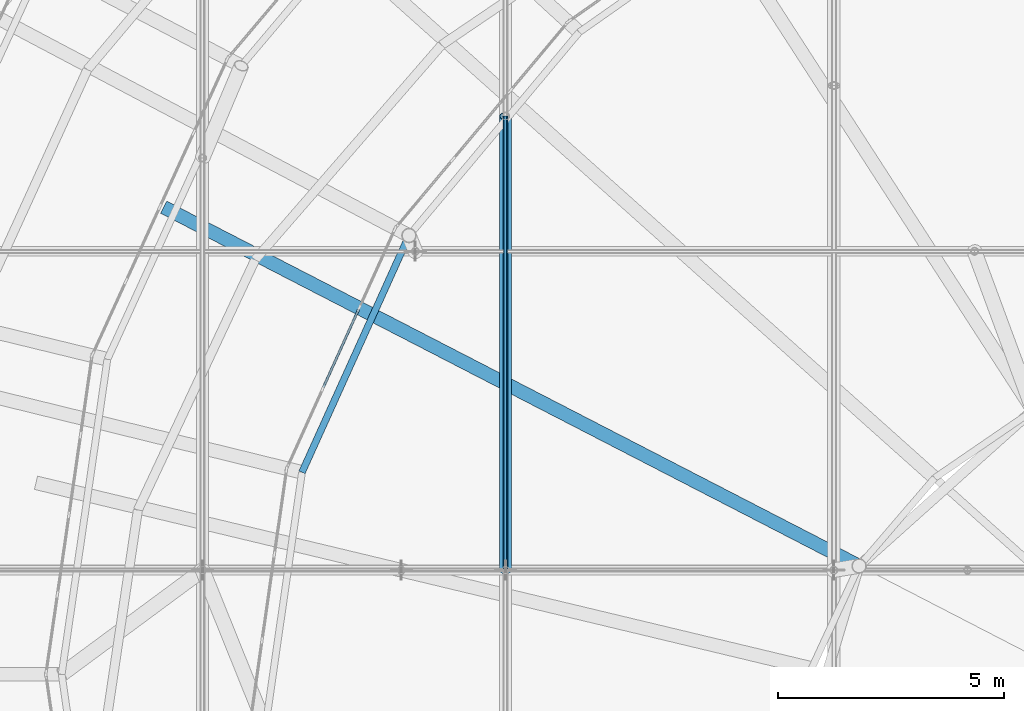
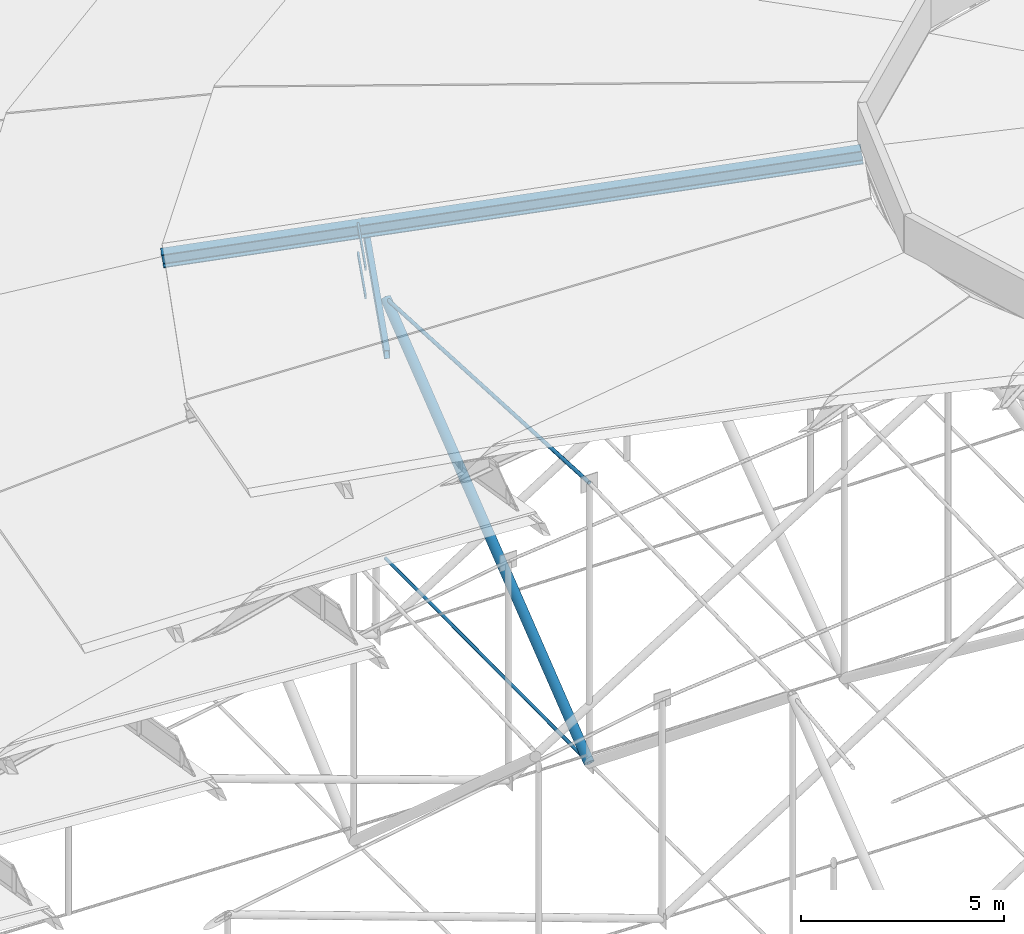
# One storey, part 46 of 173: 7 members, 1 element without a shape of its own.
"""IFC4 building model written with IfcOpenShell, lengths in metres."""

from ifc_helpers import new_model, si_unit, direction, frame, origin, origin_2d, place, context, subcontext, project, spatial, rectangle, hollow_rectangle, circle, hollow_circle, i_section, extrude, material, material_profile, profile_set, type_object, element, aggregate, save


model = new_model("IFC4")

# Units and contexts
model_context = context("Model", 3, precision=1e-05, world=origin(), true_north=direction((0.0, 1.0)))
body_context = subcontext(model_context, "Body", "Model", "MODEL_VIEW")
ifc_project = project(units=[si_unit("LENGTHUNIT", "METRE"), si_unit("AREAUNIT", "SQUARE_METRE"), si_unit("VOLUMEUNIT", "CUBIC_METRE"), si_unit("PLANEANGLEUNIT", "RADIAN"), si_unit("MASSUNIT", "GRAM", prefix="KILO")], contexts=[model_context])

# Site, building, storey
site_placement = place(None, origin())
site = spatial("IfcSite", under=ifc_project, at=site_placement, CompositionType="ELEMENT")
building_placement = place(site_placement, origin())
building = spatial("IfcBuilding", under=site, at=building_placement, Name="Glasvene Arena", CompositionType="ELEMENT")
storey_placement = place(building_placement, frame((0.0, 0.0, 28.800048828125)))
storey = spatial("IfcBuildingStorey", under=building, at=storey_placement, Name="RF", CompositionType="ELEMENT", Elevation=28.800048828125)

# Curtain wall, members
ifc_material_1 = material(Name="Low-emissivity laminated double glazing", Category="glass")
curtain_wall_type = type_object("IfcCurtainWallType", Name="CW-PET4-582x92", PredefinedType="USERDEFINED", material=ifc_material_1)
curtain_wall_placement = place(storey_placement, frame((66.865478515625, 80.550048828125, 0.0)))
curtain_wall = element("IfcCurtainWall", 1, at=curtain_wall_placement, inside=storey, type_object=curtain_wall_type, Name="Petal ring 4-5 clerestory curtain wall 11", ObjectType="CURTAIN WALL", PredefinedType="USERDEFINED")
ifc_material_2 = material(Name="Anodised architectural aluminium", Category="aluminium")
ifc_material_profile_1 = material_profile(ifc_material_2, rectangle(XDim=0.050048828125, YDim=0.1201171875, at=origin_2d()), Name="ALU TRANSOM 50x120")
ifc_profile_set_1 = profile_set([ifc_material_profile_1], Name="Anodised architectural aluminium")
member_type_1 = type_object("IfcMemberType", Name="CW-TRN-120", PredefinedType="USERDEFINED", material=ifc_profile_set_1)
member_1_placement = place(storey_placement, frame((66.055908203125, 78.758544921875, 10.554931640625), z_axis=(-0.411749309891, -0.9112971556, 0.0), x_axis=(0.9112971556, -0.411749309891, 0.0)))
member_1 = element("IfcMember", 2, at=member_1_placement, type_object=member_type_1, Name="CW-100 transom 2.1", ObjectType="TRANSOM", PredefinedType="USERDEFINED", context=body_context, shape_type="SweptSolid", body=[
    extrude(rectangle(XDim=0.050048828125, YDim=0.1201171875, at=origin_2d()), origin(), (0.0, 0.0, 1.0), 1.890869140625),
])
member_2_placement = place(storey_placement, frame((66.055908203125, 78.758544921875, 11.4208984375), z_axis=(-0.411749309891, -0.9112971556, 0.0), x_axis=(0.9112971556, -0.411749309891, 0.0)))
member_2 = element("IfcMember", 3, at=member_2_placement, type_object=member_type_1, Name="CW-100 transom 2.2", ObjectType="TRANSOM", PredefinedType="USERDEFINED", context=body_context, shape_type="SweptSolid", body=[
    extrude(rectangle(XDim=0.050048828125, YDim=0.1201171875, at=origin_2d()), origin(), (0.0, 0.0, 1.0), 1.890869140625),
])
aggregate(curtain_wall, [member_1, member_2])

# Members
ifc_material_3 = material(Name="High-strength steel spiral strand S460", Category="steel")
ifc_material_profile_2 = material_profile(ifc_material_3, circle(Radius=0.052490234375, at=origin_2d()), Name="LCSS D105")
ifc_profile_set_2 = profile_set([ifc_material_profile_2], Name="High-strength steel spiral strand S460")
member_type_2 = type_object("IfcMemberType", Name="MB-CABLE-105", PredefinedType="USERDEFINED", material=ifc_profile_set_2)
member_3_placement = place(storey_placement, frame((69.300537109375, 73.0, 6.02001953125), z_axis=(0.0, 0.998653211975, -0.051882195512), x_axis=(-1.0, 0.0, 0.0)))
element("IfcMember", 4, at=member_3_placement, inside=storey, type_object=member_type_2, Name="Upper lens roof cable NS08-05", ObjectType="ROOF CABLE", PredefinedType="USERDEFINED", context=body_context, shape_type="SweptSolid", body=[
    extrude(circle(Radius=0.052490234375, at=origin_2d()), origin(), (0.0, 0.0, 1.0), 10.037109375),
])
ifc_material_profile_3 = material_profile(ifc_material_3, circle(Radius=0.044921875, at=origin_2d()), Name="LCSS D90")
ifc_profile_set_3 = profile_set([ifc_material_profile_3], Name="High-strength steel spiral strand S460")
member_type_3 = type_object("IfcMemberType", Name="MB-CABLE-90", PredefinedType="USERDEFINED", material=ifc_profile_set_3)
member_4_placement = place(storey_placement, frame((69.300537109375, 73.0, -2.400146484375), z_axis=(0.0, 0.999974187932, 0.007184947401), x_axis=(-1.0, 0.0, 0.0)))
element("IfcMember", 5, at=member_4_placement, inside=storey, type_object=member_type_3, Name="Lower stabilization roof cable NS08-05", ObjectType="ROOF CABLE", PredefinedType="USERDEFINED", context=body_context, shape_type="SweptSolid", body=[
    extrude(circle(Radius=0.044921875, at=origin_2d()), origin(), (0.0, 0.0, 1.0), 10.02392578125),
])
ifc_material_4 = material(Name="Steel S355J2", Category="steel")
ifc_material_profile_4 = material_profile(ifc_material_4, i_section(OverallWidth=0.300048828125, OverallDepth=0.39990234375, WebThickness=0.013427734375, FlangeThickness=0.02392578125, FilletRadius=0.027099609375, at=origin_2d()), Name="HEB 400")
ifc_profile_set_4 = profile_set([ifc_material_profile_4], Name="Steel S355J2")
member_type_4 = type_object("IfcMemberType", Name="MB-CHORD-HEB400", PredefinedType="CHORD", material=ifc_profile_set_4)
member_5_placement = place(storey_placement, frame((61.778076171875, 81.0, 10.550048828125), z_axis=(0.879139743205, -0.4535720336, 0.146238579907), x_axis=(0.458501219441, 0.888693778403, 0.0)))
element("IfcMember", 6, at=member_5_placement, inside=storey, type_object=member_type_4, Name="Petal ring 5 radial rib 11", PredefinedType="CHORD", context=body_context, shape_type="SweptSolid", body=[
    extrude(i_section(OverallWidth=0.300048828125, OverallDepth=0.39990234375, WebThickness=0.013427734375, FlangeThickness=0.02392578125, FilletRadius=0.027099609375, at=origin_2d()), origin(), (0.0, 0.0, 1.0), 17.43603515625),
])
ifc_material_profile_5 = material_profile(ifc_material_4, hollow_rectangle(XDim=0.14990234375, YDim=0.25, WallThickness=0.010009765625, at=origin_2d()), Name="RHS 250x150x10.0")
ifc_profile_set_5 = profile_set([ifc_material_profile_5], Name="Steel S355J2")
member_type_5 = type_object("IfcMemberType", Name="MB-PURLIN-RHS250", PredefinedType="PURLIN", material=ifc_profile_set_5)
member_6_placement = place(storey_placement, frame((67.16845703125, 80.38818359375, 10.1318359375), z_axis=(-0.411804487688, -0.91127222273, 0.0), x_axis=(0.91127222273, -0.411804487688, 0.0)))
element("IfcMember", 7, at=member_6_placement, inside=storey, type_object=member_type_5, Name="Petal ring 4 ridge purlin 11", PredefinedType="PURLIN", context=body_context, shape_type="SweptSolid", body=[
    extrude(hollow_rectangle(XDim=0.14990234375, YDim=0.25, WallThickness=0.010009765625, at=origin_2d()), origin(), (0.0, 0.0, 1.0), 5.737060546875),
])
ifc_material_profile_6 = material_profile(ifc_material_4, hollow_circle(Radius=0.136474609375, WallThickness=0.012451171875, at=origin_2d()), Name="CHS 273.0x12.5")
ifc_profile_set_6 = profile_set([ifc_material_profile_6], Name="Steel S355J2")
member_type_6 = type_object("IfcMemberType", Name="MB-WEB-CHS273", PredefinedType="BRACE", material=ifc_profile_set_6)
member_7_placement = place(storey_placement, frame((69.300537109375, 73.0, -2.400146484375), z_axis=(0.0, 0.785416707567, 0.618967362205), x_axis=(-1.0, 0.0, 0.0)))
element("IfcMember", 8, at=member_7_placement, inside=storey, type_object=member_type_6, Name="Cable-truss diagonal web strut NS08-05", PredefinedType="BRACE", context=body_context, shape_type="SweptSolid", body=[
    extrude(hollow_circle(Radius=0.136474609375, WallThickness=0.012451171875, at=origin_2d()), origin(), (0.0, 0.0, 1.0), 12.76220703125),
])

save(model, "model.ifc")
